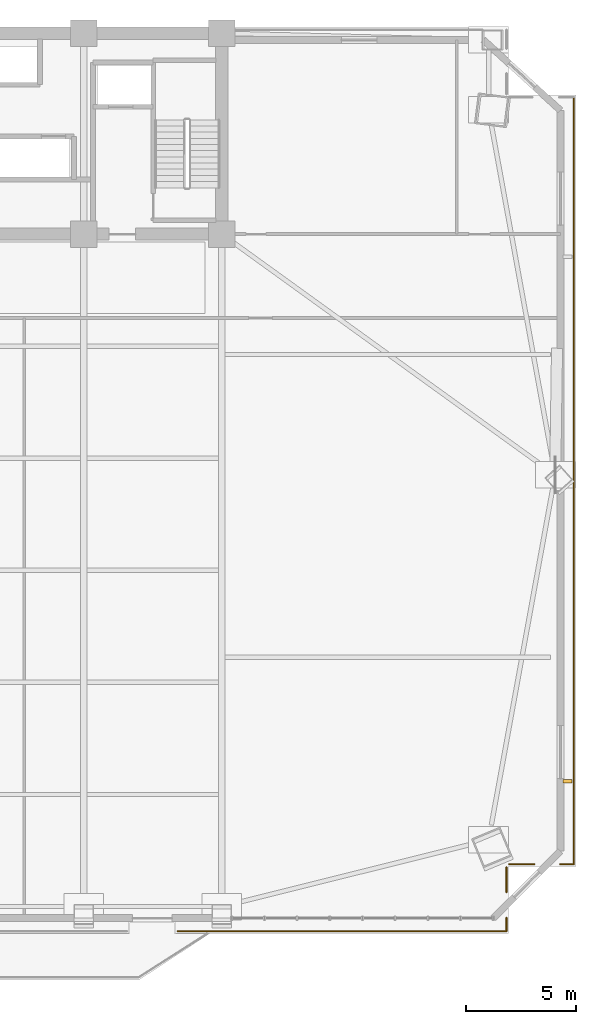
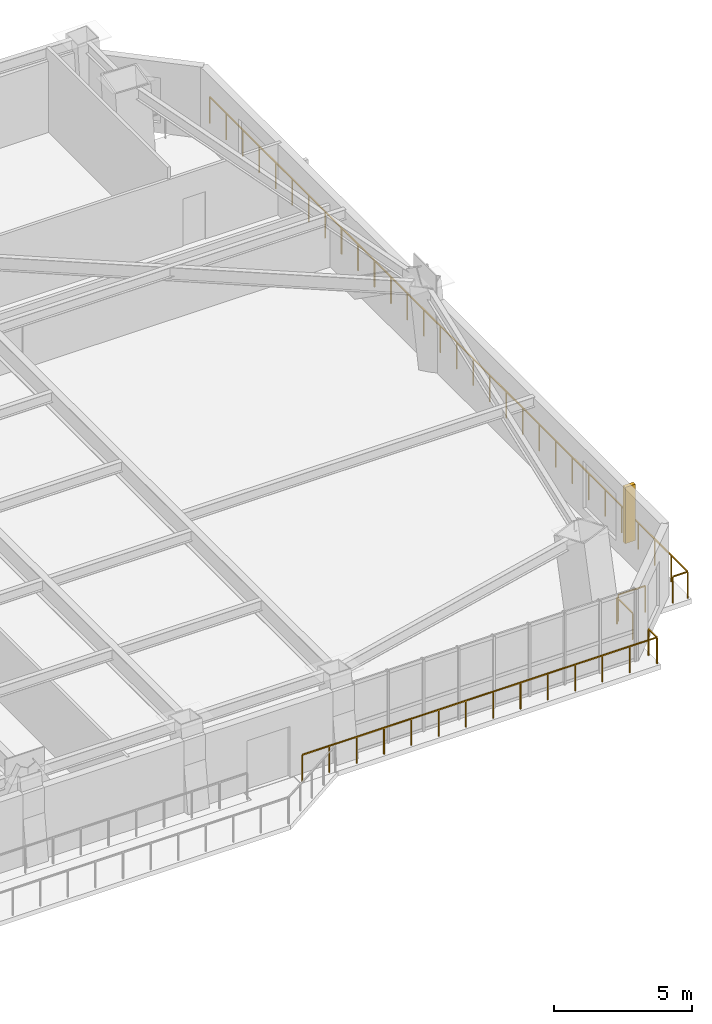
# One storey, part 13 of 15: 6 railings, 1 shading device.
"""IFC4 building model written with IfcOpenShell, lengths in metres."""

from ifc_helpers import new_model, si_unit, direction, frame, origin, origin_2d, place, context, subcontext, project, spatial, rectangle, extrude, source, transform, mapped, material, type_object, element, save


model = new_model("IFC4")

# Units and contexts
model_context = context("Model", 3, precision=1e-05, world=origin(), true_north=direction((0.0, 1.0)))
body_context = subcontext(model_context, "Body", "Model", "MODEL_VIEW")
ifc_project = project(units=[si_unit("LENGTHUNIT", "METRE"), si_unit("AREAUNIT", "SQUARE_METRE"), si_unit("VOLUMEUNIT", "CUBIC_METRE"), si_unit("PLANEANGLEUNIT", "RADIAN"), si_unit("MASSUNIT", "GRAM", prefix="KILO")], contexts=[model_context])

# Site, building, storey
site_placement = place(None, origin())
site = spatial("IfcSite", under=ifc_project, at=site_placement, CompositionType="ELEMENT")
building_placement = place(site_placement, origin())
building = spatial("IfcBuilding", under=site, at=building_placement, Name="Giltprow Tower", CompositionType="ELEMENT")
storey_placement = place(building_placement, frame((0.0, 0.0, 107.5)))
storey = spatial("IfcBuildingStorey", under=building, at=storey_placement, Name="L26", CompositionType="ELEMENT", Elevation=107.5)

# Railings
ifc_material = material(Name="Anodized bronze", Category="metal")
railing_type = type_object("IfcRailingType", Name="RAIL-BALC-GUARD-1200", PredefinedType="BALUSTRADE", material=ifc_material)
railing_1_placement = place(storey_placement, frame((66.490966796875, 43.656005859375, 0.0)))
element("IfcRailing", 1, at=railing_1_placement, inside=storey, type_object=railing_type, Name="L26 Corner Apron Edge Balustrade 16", PredefinedType="BALUSTRADE", context=body_context, shape_type="SweptSolid", body=[
    extrude(rectangle(XDim=0.048095703125, YDim=0.048095703125, at=origin_2d()), frame((0.0, 0.0, 1.17578125), z_axis=(0.0, -1.0, 0.0), x_axis=(1.0, 0.0, 0.0)), (0.0, 0.0, 1.0), 34.7509765625),
    extrude(rectangle(XDim=0.0419921875, YDim=0.0419921875, at=origin_2d()), origin(), (0.0, 0.0, 1.0), 1.15185546875),
    extrude(rectangle(XDim=0.0419921875, YDim=0.0419921875, at=origin_2d()), frame((0.0, -1.1982421875, 0.0)), (0.0, 0.0, 1.0), 1.15185546875),
    extrude(rectangle(XDim=0.0419921875, YDim=0.0419921875, at=origin_2d()), frame((0.0, -2.396728515625, 0.0)), (0.0, 0.0, 1.0), 1.15185546875),
    extrude(rectangle(XDim=0.0419921875, YDim=0.0419921875, at=origin_2d()), frame((0.0, -3.594970703125, 0.0)), (0.0, 0.0, 1.0), 1.15185546875),
    extrude(rectangle(XDim=0.0419921875, YDim=0.0419921875, at=origin_2d()), frame((0.0, -4.793212890625, 0.0)), (0.0, 0.0, 1.0), 1.15185546875),
    extrude(rectangle(XDim=0.0419921875, YDim=0.0419921875, at=origin_2d()), frame((0.0, -5.991455078125, 0.0)), (0.0, 0.0, 1.0), 1.15185546875),
    extrude(rectangle(XDim=0.0419921875, YDim=0.0419921875, at=origin_2d()), frame((0.0, -7.18994140625, 0.0)), (0.0, 0.0, 1.0), 1.15185546875),
    extrude(rectangle(XDim=0.0419921875, YDim=0.0419921875, at=origin_2d()), frame((0.0, -8.38818359375, 0.0)), (0.0, 0.0, 1.0), 1.15185546875),
    extrude(rectangle(XDim=0.0419921875, YDim=0.0419921875, at=origin_2d()), frame((0.0, -9.58642578125, 0.0)), (0.0, 0.0, 1.0), 1.15185546875),
    extrude(rectangle(XDim=0.0419921875, YDim=0.0419921875, at=origin_2d()), frame((0.0, -10.78466796875, 0.0)), (0.0, 0.0, 1.0), 1.15185546875),
    extrude(rectangle(XDim=0.0419921875, YDim=0.0419921875, at=origin_2d()), frame((0.0, -11.983154296875, 0.0)), (0.0, 0.0, 1.0), 1.15185546875),
    extrude(rectangle(XDim=0.0419921875, YDim=0.0419921875, at=origin_2d()), frame((0.0, -13.181396484375, 0.0)), (0.0, 0.0, 1.0), 1.15185546875),
    extrude(rectangle(XDim=0.0419921875, YDim=0.0419921875, at=origin_2d()), frame((0.0, -14.379638671875, 0.0)), (0.0, 0.0, 1.0), 1.15185546875),
    extrude(rectangle(XDim=0.0419921875, YDim=0.0419921875, at=origin_2d()), frame((0.0, -15.578125, 0.0)), (0.0, 0.0, 1.0), 1.15185546875),
    extrude(rectangle(XDim=0.0419921875, YDim=0.0419921875, at=origin_2d()), frame((0.0, -16.7763671875, 0.0)), (0.0, 0.0, 1.0), 1.15185546875),
    extrude(rectangle(XDim=0.0419921875, YDim=0.0419921875, at=origin_2d()), frame((0.0, -17.974609375, 0.0)), (0.0, 0.0, 1.0), 1.15185546875),
    extrude(rectangle(XDim=0.0419921875, YDim=0.0419921875, at=origin_2d()), frame((0.0, -19.1728515625, 0.0)), (0.0, 0.0, 1.0), 1.15185546875),
    extrude(rectangle(XDim=0.0419921875, YDim=0.0419921875, at=origin_2d()), frame((0.0, -20.371337890625, 0.0)), (0.0, 0.0, 1.0), 1.15185546875),
    extrude(rectangle(XDim=0.0419921875, YDim=0.0419921875, at=origin_2d()), frame((0.0, -21.569580078125, 0.0)), (0.0, 0.0, 1.0), 1.15185546875),
    extrude(rectangle(XDim=0.0419921875, YDim=0.0419921875, at=origin_2d()), frame((0.0, -22.767822265625, 0.0)), (0.0, 0.0, 1.0), 1.15185546875),
    extrude(rectangle(XDim=0.0419921875, YDim=0.0419921875, at=origin_2d()), frame((0.0, -23.96630859375, 0.0)), (0.0, 0.0, 1.0), 1.15185546875),
    extrude(rectangle(XDim=0.0419921875, YDim=0.0419921875, at=origin_2d()), frame((0.0, -25.16455078125, 0.0)), (0.0, 0.0, 1.0), 1.15185546875),
    extrude(rectangle(XDim=0.0419921875, YDim=0.0419921875, at=origin_2d()), frame((0.0, -26.36279296875, 0.0)), (0.0, 0.0, 1.0), 1.15185546875),
    extrude(rectangle(XDim=0.0419921875, YDim=0.0419921875, at=origin_2d()), frame((0.0, -27.56103515625, 0.0)), (0.0, 0.0, 1.0), 1.15185546875),
    extrude(rectangle(XDim=0.0419921875, YDim=0.0419921875, at=origin_2d()), frame((0.0, -28.759521484375, 0.0)), (0.0, 0.0, 1.0), 1.15185546875),
    extrude(rectangle(XDim=0.0419921875, YDim=0.0419921875, at=origin_2d()), frame((0.0, -29.957763671875, 0.0)), (0.0, 0.0, 1.0), 1.15185546875),
    extrude(rectangle(XDim=0.0419921875, YDim=0.0419921875, at=origin_2d()), frame((0.0, -31.156005859375, 0.0)), (0.0, 0.0, 1.0), 1.15185546875),
    extrude(rectangle(XDim=0.0419921875, YDim=0.0419921875, at=origin_2d()), frame((0.0, -32.354248046875, 0.0)), (0.0, 0.0, 1.0), 1.15185546875),
    extrude(rectangle(XDim=0.0419921875, YDim=0.0419921875, at=origin_2d()), frame((0.0, -33.552734375, 0.0)), (0.0, 0.0, 1.0), 1.15185546875),
    extrude(rectangle(XDim=0.0419921875, YDim=0.0419921875, at=origin_2d()), frame((0.0, -34.7509765625, 0.0)), (0.0, 0.0, 1.0), 1.15185546875),
])
railing_2_placement = place(storey_placement, frame((66.490966796875, 8.905029296875, 0.0)))
element("IfcRailing", 2, at=railing_2_placement, inside=storey, type_object=railing_type, Name="L26 Corner Apron Edge Balustrade 17", PredefinedType="BALUSTRADE", context=body_context, shape_type="SweptSolid", body=[
    extrude(rectangle(XDim=0.048095703125, YDim=0.048095703125, at=origin_2d()), frame((0.0, 0.0, 1.17578125), z_axis=(-1.0, 0.0, 0.0), x_axis=(0.0, -1.0, 0.0)), (0.0, 0.0, 1.0), 0.619873046875),
    extrude(rectangle(XDim=0.0419921875, YDim=0.0419921875, at=origin_2d()), origin(), (0.0, 0.0, 1.0), 1.15185546875),
    extrude(rectangle(XDim=0.0419921875, YDim=0.0419921875, at=origin_2d()), frame((-0.619873046875, 0.0, 0.0)), (0.0, 0.0, 1.0), 1.15185546875),
])
railing_3_placement = place(storey_placement, frame((64.7109375, 8.905029296875, 0.0)))
element("IfcRailing", 3, at=railing_3_placement, inside=storey, type_object=railing_type, Name="L26 Corner Apron Edge Balustrade 18", PredefinedType="BALUSTRADE", context=body_context, shape_type="SweptSolid", body=[
    extrude(rectangle(XDim=0.048095703125, YDim=0.048095703125, at=origin_2d()), frame((0.0, 0.0, 1.17578125), z_axis=(-1.0, 0.0, 0.0), x_axis=(0.0, -1.0, 0.0)), (0.0, 0.0, 1.0), 1.1279296875),
    extrude(rectangle(XDim=0.0419921875, YDim=0.0419921875, at=origin_2d()), origin(), (0.0, 0.0, 1.0), 1.15185546875),
    extrude(rectangle(XDim=0.0419921875, YDim=0.0419921875, at=origin_2d()), frame((-1.1279296875, 0.0, 0.0)), (0.0, 0.0, 1.0), 1.15185546875),
])
railing_4_placement = place(storey_placement, frame((63.447998046875, 8.77001953125, 0.0)))
element("IfcRailing", 4, at=railing_4_placement, inside=storey, type_object=railing_type, Name="L26 Corner Apron Edge Balustrade 19", PredefinedType="BALUSTRADE", context=body_context, shape_type="SweptSolid", body=[
    extrude(rectangle(XDim=0.048095703125, YDim=0.048095703125, at=origin_2d()), frame((0.0, 0.0, 1.17578125), z_axis=(0.0, -1.0, 0.0), x_axis=(1.0, 0.0, 0.0)), (0.0, 0.0, 1.0), 1.1279296875),
    extrude(rectangle(XDim=0.0419921875, YDim=0.0419921875, at=origin_2d()), origin(), (0.0, 0.0, 1.0), 1.15185546875),
    extrude(rectangle(XDim=0.0419921875, YDim=0.0419921875, at=origin_2d()), frame((0.0, -1.1279296875, 0.0)), (0.0, 0.0, 1.0), 1.15185546875),
])
railing_5_placement = place(storey_placement, frame((63.447998046875, 6.48193359375, 0.0)))
element("IfcRailing", 5, at=railing_5_placement, inside=storey, type_object=railing_type, Name="L26 Corner Apron Edge Balustrade 20", PredefinedType="BALUSTRADE", context=body_context, shape_type="SweptSolid", body=[
    extrude(rectangle(XDim=0.048095703125, YDim=0.048095703125, at=origin_2d()), frame((0.0, 0.0, 1.17578125), z_axis=(0.0, -1.0, 0.0), x_axis=(1.0, 0.0, 0.0)), (0.0, 0.0, 1.0), 0.619873046875),
    extrude(rectangle(XDim=0.0419921875, YDim=0.0419921875, at=origin_2d()), origin(), (0.0, 0.0, 1.0), 1.15185546875),
    extrude(rectangle(XDim=0.0419921875, YDim=0.0419921875, at=origin_2d()), frame((0.0, -0.619873046875, 0.0)), (0.0, 0.0, 1.0), 1.15185546875),
])
railing_6_placement = place(storey_placement, frame((63.447998046875, 5.862060546875, 0.0)))
element("IfcRailing", 6, at=railing_6_placement, inside=storey, type_object=railing_type, Name="L26 Corner Apron Edge Balustrade 21", PredefinedType="BALUSTRADE", context=body_context, shape_type="SweptSolid", body=[
    extrude(rectangle(XDim=0.048095703125, YDim=0.048095703125, at=origin_2d()), frame((0.0, 0.0, 1.17578125), z_axis=(-1.0, 0.0, 0.0), x_axis=(0.0, -1.0, 0.0)), (0.0, 0.0, 1.0), 14.89794921875),
    extrude(rectangle(XDim=0.0419921875, YDim=0.0419921875, at=origin_2d()), origin(), (0.0, 0.0, 1.0), 1.15185546875),
    extrude(rectangle(XDim=0.0419921875, YDim=0.0419921875, at=origin_2d()), frame((-1.14599609375, 0.0, 0.0)), (0.0, 0.0, 1.0), 1.15185546875),
    extrude(rectangle(XDim=0.0419921875, YDim=0.0419921875, at=origin_2d()), frame((-2.2919921875, 0.0, 0.0)), (0.0, 0.0, 1.0), 1.15185546875),
    extrude(rectangle(XDim=0.0419921875, YDim=0.0419921875, at=origin_2d()), frame((-3.43798828125, 0.0, 0.0)), (0.0, 0.0, 1.0), 1.15185546875),
    extrude(rectangle(XDim=0.0419921875, YDim=0.0419921875, at=origin_2d()), frame((-4.583984375, 0.0, 0.0)), (0.0, 0.0, 1.0), 1.15185546875),
    extrude(rectangle(XDim=0.0419921875, YDim=0.0419921875, at=origin_2d()), frame((-5.72998046875, 0.0, 0.0)), (0.0, 0.0, 1.0), 1.15185546875),
    extrude(rectangle(XDim=0.0419921875, YDim=0.0419921875, at=origin_2d()), frame((-6.8759765625, 0.0, 0.0)), (0.0, 0.0, 1.0), 1.15185546875),
    extrude(rectangle(XDim=0.0419921875, YDim=0.0419921875, at=origin_2d()), frame((-8.02197265625, 0.0, 0.0)), (0.0, 0.0, 1.0), 1.15185546875),
    extrude(rectangle(XDim=0.0419921875, YDim=0.0419921875, at=origin_2d()), frame((-9.16796875, 0.0, 0.0)), (0.0, 0.0, 1.0), 1.15185546875),
    extrude(rectangle(XDim=0.0419921875, YDim=0.0419921875, at=origin_2d()), frame((-10.31396484375, 0.0, 0.0)), (0.0, 0.0, 1.0), 1.15185546875),
    extrude(rectangle(XDim=0.0419921875, YDim=0.0419921875, at=origin_2d()), frame((-11.4599609375, 0.0, 0.0)), (0.0, 0.0, 1.0), 1.15185546875),
    extrude(rectangle(XDim=0.0419921875, YDim=0.0419921875, at=origin_2d()), frame((-12.60595703125, 0.0, 0.0)), (0.0, 0.0, 1.0), 1.15185546875),
    extrude(rectangle(XDim=0.0419921875, YDim=0.0419921875, at=origin_2d()), frame((-13.751953125, 0.0, 0.0)), (0.0, 0.0, 1.0), 1.15185546875),
    extrude(rectangle(XDim=0.0419921875, YDim=0.0419921875, at=origin_2d()), frame((-14.89794921875, 0.0, 0.0)), (0.0, 0.0, 1.0), 1.15185546875),
])

# Shading device
shading_device_type = type_object("IfcShadingDeviceType", Name="SHD-FIN-420", PredefinedType="USERDEFINED", material=ifc_material)
shared_shape = source(origin(), body_context, "Body", "SweptSolid", [
    extrude(rectangle(XDim=0.419921875, YDim=0.159912109375, at=origin_2d()), origin(), (0.0, 0.0, 1.0), 2.5),
])
shading_device_placement = place(storey_placement, frame((66.2109375, 12.669921875, 0.35009765625), z_axis=(0.0, 0.0, 1.0), x_axis=(1.0, 0.0, 0.0)))
element("IfcShadingDevice", 7, at=shading_device_placement, inside=storey, type_object=shading_device_type, Name="L26 E Bronze Vertical Fin 1-1", ObjectType="FIN", PredefinedType="USERDEFINED", context=body_context, shape_type="MappedRepresentation", body=[
    mapped(shared_shape, transform((0.0, 0.0, 0.0), x_axis=(1.0, 0.0, 0.0), y_axis=(0.0, 1.0, 0.0), z_axis=(0.0, 0.0, 1.0), scale=1.0)),
])

save(model, "model.ifc")
